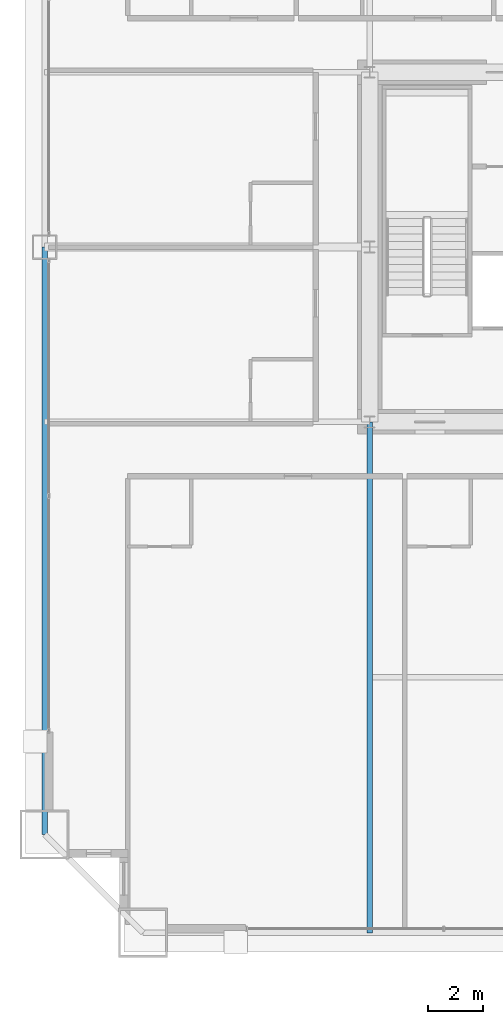
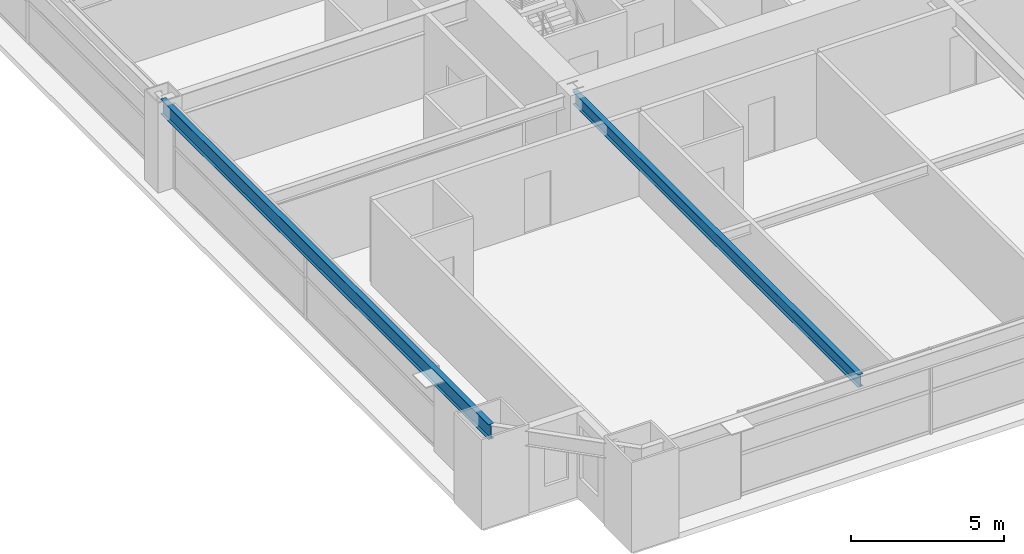
# One storey, part 7 of 45: 2 beams.
"""IFC4 building model written with IfcOpenShell, lengths in metres."""

from ifc_helpers import new_model, si_unit, direction, frame, origin, origin_2d, place, context, subcontext, project, spatial, i_section, extrude, source, transform, mapped, material, material_profile, profile_set, type_object, element, save


model = new_model("IFC4")

# Units and contexts
model_context = context("Model", 3, precision=1e-05, world=origin(), true_north=direction((0.0, 1.0)))
body_context = subcontext(model_context, "Body", "Model", "MODEL_VIEW")
ifc_project = project(units=[si_unit("LENGTHUNIT", "METRE"), si_unit("AREAUNIT", "SQUARE_METRE"), si_unit("VOLUMEUNIT", "CUBIC_METRE"), si_unit("PLANEANGLEUNIT", "RADIAN"), si_unit("MASSUNIT", "GRAM", prefix="KILO"), si_unit("THERMODYNAMICTEMPERATUREUNIT", "KELVIN"), si_unit("POWERUNIT", "WATT")], contexts=[model_context])

# Site, building, storey
site_placement = place(None, origin())
site = spatial("IfcSite", under=ifc_project, at=site_placement, CompositionType="ELEMENT")
building_placement = place(site_placement, origin())
building = spatial("IfcBuilding", under=site, at=building_placement, Name="Yuzanri Waterfront Tower", CompositionType="ELEMENT")
storey_placement = place(building_placement, frame((0.0, 0.0, 49.60009765625)))
storey = spatial("IfcBuildingStorey", under=building, at=storey_placement, Name="L12", CompositionType="ELEMENT", Elevation=49.60009765625)

# Beams
ifc_material_1 = material(Name="Steel Q355B", Category="steel")
ifc_material_profile_1 = material_profile(ifc_material_1, i_section(OverallWidth=0.199951171875, OverallDepth=0.60009765625, WebThickness=0.010986328125, FlangeThickness=0.01708984375, at=origin_2d()), Name="HN 600x200x11x17")
ifc_profile_set_1 = profile_set([ifc_material_profile_1], Name="Steel Q355B")
beam_type_1 = type_object("IfcBeamType", Name="Perimeter Spandrel Q355B HN 600x200", PredefinedType="SPANDREL", material=ifc_profile_set_1)
shared_shape_1 = source(origin(), body_context, "Body", "SweptSolid", [
    extrude(i_section(OverallWidth=0.199951171875, OverallDepth=0.60009765625, WebThickness=0.010986328125, FlangeThickness=0.01708984375, at=origin_2d()), origin(), (0.0, 0.0, 1.0), 21.5),
])
beam_1_placement = place(storey_placement, frame((11.89990234375, 25.800048828125, 3.079833984375), z_axis=(0.0, -1.0, 0.0), x_axis=(1.0, 0.0, 0.0)))
element("IfcBeam", 1, at=beam_1_placement, inside=storey, type_object=beam_type_1, Name="L12 Perimeter Spandrel W2-W1", PredefinedType="SPANDREL", context=body_context, shape_type="MappedRepresentation", body=[
    mapped(shared_shape_1, transform((0.0, 0.0, 0.0), scale=1.0)),
])
ifc_material_2 = material(Name="Steel Q355B", Category="steel")
ifc_material_profile_2 = material_profile(ifc_material_2, i_section(OverallWidth=0.199951171875, OverallDepth=0.5, WebThickness=0.010009765625, FlangeThickness=0.01611328125, at=origin_2d()), Name="HN 500x200x10x16")
ifc_profile_set_2 = profile_set([ifc_material_profile_2], Name="Steel Q355B")
beam_type_2 = type_object("IfcBeamType", Name="Secondary Floor Beam Q355B HN 500x200", PredefinedType="BEAM", material=ifc_profile_set_2)
shared_shape_2 = source(origin(), body_context, "Body", "SweptSolid", [
    extrude(i_section(OverallWidth=0.199951171875, OverallDepth=0.5, WebThickness=0.010009765625, FlangeThickness=0.01611328125, at=origin_2d()), origin(), (0.0, 0.0, 1.0), 18.699951171875),
])
beam_2_placement = place(storey_placement, frame((23.800048828125, 19.39990234375, 3.1298828125), z_axis=(0.0, -1.0, 0.0), x_axis=(1.0, 0.0, 0.0)))
element("IfcBeam", 2, at=beam_2_placement, inside=storey, type_object=beam_type_2, Name="L12 South-West Core Line Beam", PredefinedType="BEAM", context=body_context, shape_type="MappedRepresentation", body=[
    mapped(shared_shape_2, transform((0.0, 0.0, 0.0), scale=1.0)),
])

save(model, "model.ifc")
